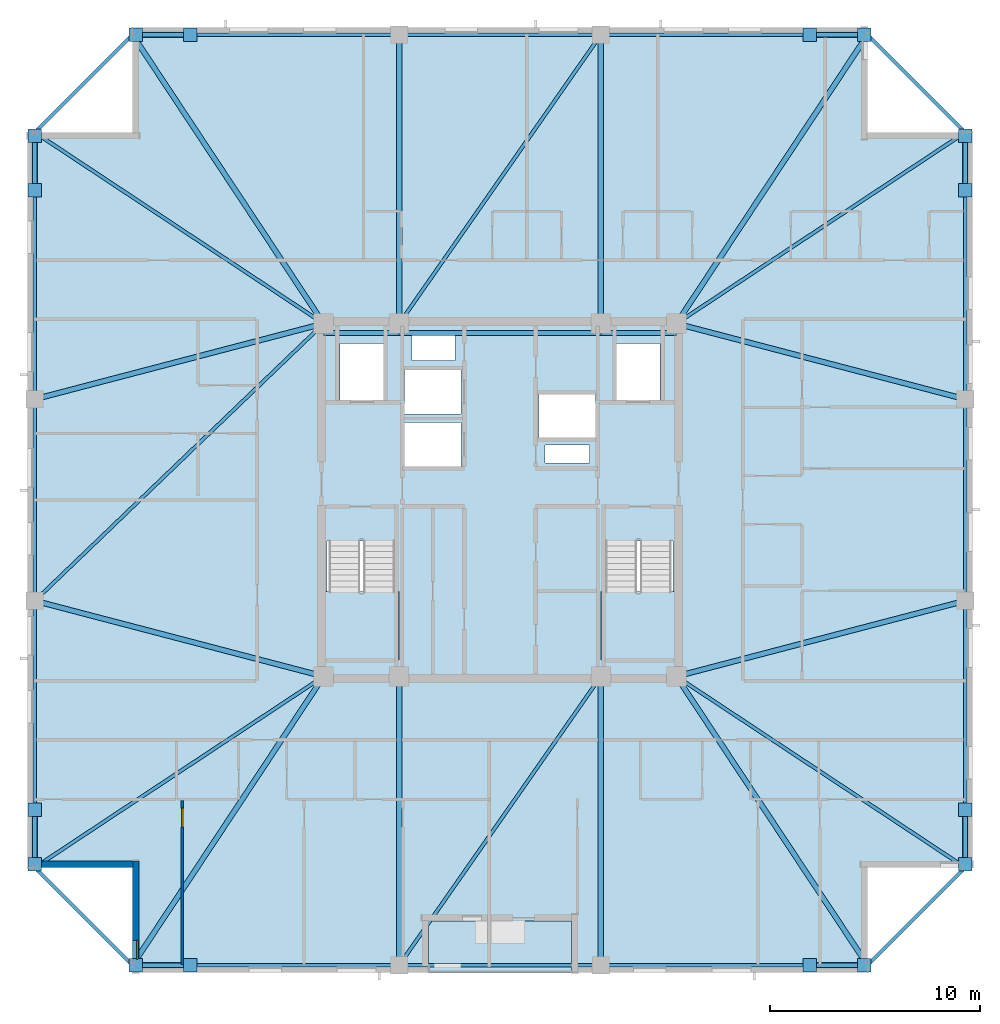
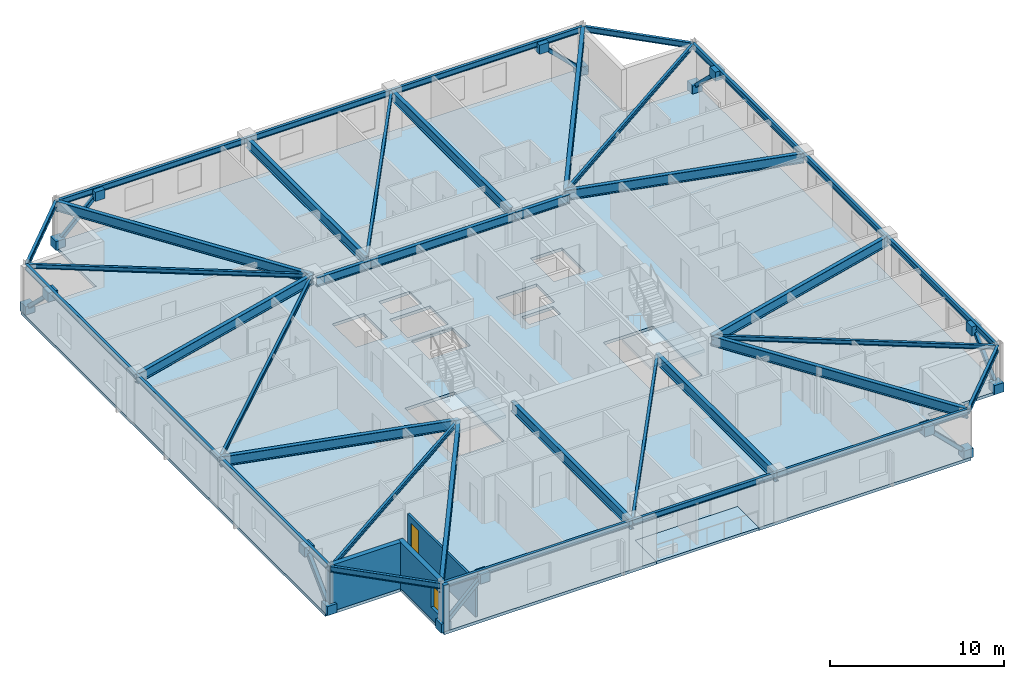
# One storey, part 6 of 17: 38 beams, 16 plates, 8 members, 4 slabs, 3 walls, 1 door, 1 window, 2 openings, 2 elements without a shape of their own.
"""IFC4 building model written with IfcOpenShell, lengths in metres."""

from ifc_helpers import new_model, si_unit, direction, frame, frame_2d, origin, origin_2d, place, context, subcontext, project, spatial, polyline, rectangle, hollow_rectangle, i_section, outline, extrude, material, layer, layer_set, material_profile, profile_set, type_object, element, fill, aggregate, save


model = new_model("IFC4")

# Units and contexts
model_context = context("Model", 3, precision=1e-05, world=origin(), true_north=direction((0.0, 1.0)))
body_context = subcontext(model_context, "Body", "Model", "MODEL_VIEW")
ifc_project = project(units=[si_unit("LENGTHUNIT", "METRE"), si_unit("AREAUNIT", "SQUARE_METRE"), si_unit("VOLUMEUNIT", "CUBIC_METRE"), si_unit("PLANEANGLEUNIT", "RADIAN"), si_unit("MASSUNIT", "GRAM", prefix="KILO")], contexts=[model_context])

# Site, building, storey
site_placement = place(None, origin())
site = spatial("IfcSite", under=ifc_project, at=site_placement, CompositionType="ELEMENT")
building_placement = place(site_placement, origin())
building = spatial("IfcBuilding", under=site, at=building_placement, Name="Cairnveth Concourse Tower", CompositionType="ELEMENT")
storey_placement = place(building_placement, frame((0.0, 0.0, 272.5)))
storey = spatial("IfcBuildingStorey", under=building, at=storey_placement, Name="L75", CompositionType="ELEMENT", Elevation=272.5)

# Beams
ifc_material_1 = material(Name="Steel Grade 350", Category="steel")
ifc_material_profile_1 = material_profile(ifc_material_1, i_section(OverallWidth=0.22802734375, OverallDepth=0.60693359375, WebThickness=0.01123046875, FlangeThickness=0.017333984375, FilletRadius=0.013916015625, at=origin_2d()), Name="610UB113")
ifc_profile_set_1 = profile_set([ifc_material_profile_1], Name="Steel Grade 350")
beam_type_1 = type_object("IfcBeamType", Name="CORE TIE BEAM 610UB113", PredefinedType="T_BEAM", material=ifc_profile_set_1)
for number, where, z_axis, x_axis, name in (
    (1, (43.60009765625, 46.949951171875, 2.9365234375), (1.0, 0.0, 0.0), (0.0, 1.0, 0.0), "Beam CT-N1 L75"),
    (2, (56.800048828125, 46.949951171875, 2.9365234375), (1.0, 0.0, 0.0), (0.0, 1.0, 0.0), "Beam CT-N3 L75"),
):
    element("IfcBeam", number, at=place(storey_placement, frame(where, z_axis=z_axis, x_axis=x_axis)), inside=storey, type_object=beam_type_1, Name=name, PredefinedType="T_BEAM", context=body_context, shape_type="SweptSolid", body=[
        extrude(i_section(OverallWidth=0.22802734375, OverallDepth=0.60693359375, WebThickness=0.01123046875, FlangeThickness=0.017333984375, FilletRadius=0.013916015625, at=origin_2d()), origin(), (0.0, 0.0, 1.0), 3.599853515625),
    ])
beam_1_placement = place(storey_placement, frame((47.199951171875, 46.949951171875, 2.9365234375), z_axis=(1.0, 0.0, 0.0), x_axis=(0.0, 1.0, 0.0)))
element("IfcBeam", 3, at=beam_1_placement, inside=storey, type_object=beam_type_1, Name="Beam CT-N2 L75", PredefinedType="T_BEAM", context=body_context, shape_type="SweptSolid", body=[
    extrude(i_section(OverallWidth=0.22802734375, OverallDepth=0.60693359375, WebThickness=0.01123046875, FlangeThickness=0.017333984375, FilletRadius=0.013916015625, at=origin_2d()), origin(), (0.0, 0.0, 1.0), 9.60009765625),
])
ifc_material_profile_2 = material_profile(ifc_material_1, i_section(OverallWidth=0.166015625, OverallDepth=0.306884765625, WebThickness=0.006591796875, FlangeThickness=0.01171875, FilletRadius=0.010986328125, at=origin_2d()), Name="310UB46.2")
ifc_profile_set_2 = profile_set([ifc_material_profile_2], Name="Steel Grade 350")
beam_type_2 = type_object("IfcBeamType", Name="ZONE 3 FLOOR JOIST 310UB46.2", PredefinedType="JOIST", material=ifc_profile_set_2)
for number, where, z_axis, x_axis, name in (
    (4, (29.85009765625, 21.5, 3.08642578125), (0.833908956207, 0.551902031848, 0.0), (-0.551902031848, 0.833908956207, 0.0), "Beam FJ-CSW2 L75"),
    (5, (74.14990234375, 21.5, 3.08642578125), (-0.833908956207, 0.551902031848, 0.0), (-0.551902031848, -0.833908956207, 0.0), "Beam FJ-CSE2 L75"),
    (6, (74.14990234375, 56.5, 3.08642578125), (-0.833908956207, -0.551902031848, 0.0), (0.551902031848, -0.833908956207, 0.0), "Beam FJ-CNE2 L75"),
    (7, (29.85009765625, 56.5, 3.08642578125), (0.833908956207, -0.551902031848, 0.0), (0.551902031848, 0.833908956207, 0.0), "Beam FJ-CNW2 L75"),
):
    element("IfcBeam", number, at=place(storey_placement, frame(where, z_axis=z_axis, x_axis=x_axis)), inside=storey, type_object=beam_type_2, Name=name, PredefinedType="JOIST", context=body_context, shape_type="SweptSolid", body=[
        extrude(i_section(OverallWidth=0.166015625, OverallDepth=0.306884765625, WebThickness=0.006591796875, FlangeThickness=0.01171875, FilletRadius=0.010986328125, at=origin_2d()), origin(), (0.0, 0.0, 1.0), 16.488525390625),
    ])
for number, where, z_axis, x_axis, name in (
    (8, (47.199951171875, 16.85009765625, 3.08642578125), (0.572465304893, 0.819928944905, 0.0), (-0.819928944905, 0.572465304893, 0.0), "Beam FJ-S-M1 L75"),
    (9, (47.199951171875, 47.39990234375, 3.08642578125), (0.572465304893, 0.819928944905, 0.0), (-0.819928944905, 0.572465304893, 0.0), "Beam FJ-N-M1 L75"),
):
    element("IfcBeam", number, at=place(storey_placement, frame(where, z_axis=z_axis, x_axis=x_axis)), inside=storey, type_object=beam_type_2, Name=name, PredefinedType="JOIST", context=body_context, shape_type="SweptSolid", body=[
        extrude(i_section(OverallWidth=0.166015625, OverallDepth=0.306884765625, WebThickness=0.006591796875, FlangeThickness=0.01171875, FilletRadius=0.010986328125, at=origin_2d()), origin(), (0.0, 0.0, 1.0), 16.769775390625),
    ])
beam_2_placement = place(storey_placement, frame((29.85009765625, 34.199951171875, 3.08642578125), z_axis=(0.721388600838, 0.692530495055, 0.0), x_axis=(-0.692530495055, 0.721388600838, 0.0)))
element("IfcBeam", 10, at=beam_2_placement, inside=storey, type_object=beam_type_2, Name="Beam FJ-W-M1 L75", PredefinedType="JOIST", context=body_context, shape_type="SweptSolid", body=[
    extrude(i_section(OverallWidth=0.166015625, OverallDepth=0.306884765625, WebThickness=0.006591796875, FlangeThickness=0.01171875, FilletRadius=0.010986328125, at=origin_2d()), origin(), (0.0, 0.0, 1.0), 19.060546875),
])

# Members
ifc_material_2 = material(Name="Steel C350L0 (350 MPa)", Category="steel")
ifc_material_profile_3 = material_profile(ifc_material_2, hollow_rectangle(XDim=0.25, YDim=0.25, WallThickness=0.012451171875, InnerFilletRadius=0.012939453125, OuterFilletRadius=0.02490234375, at=origin_2d()), Name="250x250x12.5SHS")
ifc_profile_set_3 = profile_set([ifc_material_profile_3], Name="Steel C350L0 (350 MPa)")
member_type = type_object("IfcMemberType", Name="ZONE 3 PIER BRACE 250X250X12.5SHS", PredefinedType="BRACE", material=ifc_profile_set_3)
for number, where, z_axis, x_axis, name in (
    (11, (34.64990234375, 16.85009765625, 0.25), (0.715319960292, 0.0, 0.698797076702), (0.0, 1.0, 0.0), "Structural Brace PB-S1 L75"),
    (12, (69.35009765625, 16.85009765625, 0.25), (-0.715319960292, 0.0, 0.698797076702), (0.0, -1.0, 0.0), "Structural Brace PB-S2 L75"),
    (13, (34.64990234375, 61.14990234375, 0.25), (0.715319960292, 0.0, 0.698797076702), (0.0, 1.0, 0.0), "Structural Brace PB-N1 L75"),
    (14, (69.35009765625, 61.14990234375, 0.25), (-0.715319960292, 0.0, 0.698797076702), (0.0, -1.0, 0.0), "Structural Brace PB-N2 L75"),
    (15, (29.85009765625, 21.64990234375, 0.25), (0.0, 0.715319960292, 0.698797076702), (-1.0, 0.0, 0.0), "Structural Brace PB-W1 L75"),
    (16, (29.85009765625, 56.35009765625, 0.25), (0.0, -0.715319960292, 0.698797076702), (1.0, 0.0, 0.0), "Structural Brace PB-W2 L75"),
    (17, (74.14990234375, 21.64990234375, 0.25), (0.0, 0.715319960292, 0.698797076702), (-1.0, 0.0, 0.0), "Structural Brace PB-E1 L75"),
    (18, (74.14990234375, 56.35009765625, 0.25), (0.0, -0.715319960292, 0.698797076702), (1.0, 0.0, 0.0), "Structural Brace PB-E2 L75"),
):
    element("IfcMember", number, at=place(storey_placement, frame(where, z_axis=z_axis, x_axis=x_axis)), inside=storey, type_object=member_type, Name=name, PredefinedType="BRACE", context=body_context, shape_type="SweptSolid", body=[
        extrude(hollow_rectangle(XDim=0.25, YDim=0.25, WallThickness=0.012451171875, InnerFilletRadius=0.012939453125, OuterFilletRadius=0.02490234375, at=origin_2d()), origin(), (0.0, 0.0, 1.0), 3.634765625),
    ])

# Beams
ifc_material_profile_4 = material_profile(ifc_material_1, i_section(OverallWidth=0.25, OverallDepth=0.69189453125, WebThickness=0.010009765625, FlangeThickness=0.02490234375, at=origin_2d()), Name="700WB150")
ifc_profile_set_4 = profile_set([ifc_material_profile_4], Name="Steel Grade 350")
beam_type_3 = type_object("IfcBeamType", Name="ZONE 3 RADIAL GIRDER 700WB150", PredefinedType="BEAM", material=ifc_profile_set_4)
for number, where, z_axis, x_axis, name in (
    (19, (47.199951171875, 16.85009765625, 2.89404296875), (0.0, 1.0, 0.0), (-1.0, 0.0, 0.0), "Beam RG-S1 L75"),
    (20, (56.800048828125, 16.85009765625, 2.89404296875), (0.0, 1.0, 0.0), (-1.0, 0.0, 0.0), "Beam RG-S2 L75"),
    (21, (47.199951171875, 47.39990234375, 2.89404296875), (0.0, 1.0, 0.0), (-1.0, 0.0, 0.0), "Beam RG-N1 L75"),
    (22, (56.800048828125, 47.39990234375, 2.89404296875), (0.0, 1.0, 0.0), (-1.0, 0.0, 0.0), "Beam RG-N2 L75"),
):
    element("IfcBeam", number, at=place(storey_placement, frame(where, z_axis=z_axis, x_axis=x_axis)), inside=storey, type_object=beam_type_3, Name=name, PredefinedType="BEAM", context=body_context, shape_type="SweptSolid", body=[
        extrude(i_section(OverallWidth=0.25, OverallDepth=0.69189453125, WebThickness=0.010009765625, FlangeThickness=0.02490234375, at=origin_2d()), origin(), (0.0, 0.0, 1.0), 13.75),
    ])
for number, where, z_axis, x_axis, name in (
    (23, (29.85009765625, 34.199951171875, 2.89404296875), (0.967395273598, -0.253271365575, 0.0), (0.253271365575, 0.967395273598, 0.0), "Beam RG-W1 L75"),
    (24, (29.85009765625, 43.800048828125, 2.89404296875), (0.967395273598, 0.253271365575, 0.0), (-0.253271365575, 0.967395273598, 0.0), "Beam RG-W2 L75"),
    (25, (60.39990234375, 30.60009765625, 2.89404296875), (0.967395273598, 0.253271365575, 0.0), (-0.253271365575, 0.967395273598, 0.0), "Beam RG-E1 L75"),
    (26, (60.39990234375, 47.39990234375, 2.89404296875), (0.967395273598, -0.253271365575, 0.0), (0.253271365575, 0.967395273598, 0.0), "Beam RG-E2 L75"),
):
    element("IfcBeam", number, at=place(storey_placement, frame(where, z_axis=z_axis, x_axis=x_axis)), inside=storey, type_object=beam_type_3, Name=name, PredefinedType="BEAM", context=body_context, shape_type="SweptSolid", body=[
        extrude(i_section(OverallWidth=0.25, OverallDepth=0.69189453125, WebThickness=0.010009765625, FlangeThickness=0.02490234375, at=origin_2d()), origin(), (0.0, 0.0, 1.0), 14.21337890625),
    ])
for number, where, z_axis, x_axis, name in (
    (27, (34.5, 16.85009765625, 2.89404296875), (0.551902031848, 0.833908956207, 0.0), (-0.833908956207, 0.551902031848, 0.0), "Beam RG-CSW L75"),
    (28, (69.5, 16.85009765625, 2.89404296875), (-0.551902031848, 0.833908956207, 0.0), (-0.833908956207, -0.551902031848, 0.0), "Beam RG-CSE L75"),
    (29, (69.5, 61.14990234375, 2.89404296875), (-0.551902031848, -0.833908956207, 0.0), (0.833908956207, -0.551902031848, 0.0), "Beam RG-CNE L75"),
    (30, (34.5, 61.14990234375, 2.89404296875), (0.551902031848, -0.833908956207, 0.0), (0.833908956207, 0.551902031848, 0.0), "Beam RG-CNW L75"),
):
    element("IfcBeam", number, at=place(storey_placement, frame(where, z_axis=z_axis, x_axis=x_axis)), inside=storey, type_object=beam_type_3, Name=name, PredefinedType="BEAM", context=body_context, shape_type="SweptSolid", body=[
        extrude(i_section(OverallWidth=0.25, OverallDepth=0.69189453125, WebThickness=0.010009765625, FlangeThickness=0.02490234375, at=origin_2d()), origin(), (0.0, 0.0, 1.0), 16.488525390625),
    ])
ifc_material_profile_5 = material_profile(ifc_material_1, i_section(OverallWidth=0.177978515625, OverallDepth=0.406005859375, WebThickness=0.0078125, FlangeThickness=0.0126953125, FilletRadius=0.010986328125, at=origin_2d()), Name="410UB59.7")
ifc_profile_set_5 = profile_set([ifc_material_profile_5], Name="Steel Grade 350")
beam_type_4 = type_object("IfcBeamType", Name="ZONE 3 SPANDREL BEAM 410UB59.7", PredefinedType="SPANDREL", material=ifc_profile_set_5)
beam_3_placement = place(storey_placement, frame((34.5, 16.85009765625, 3.037109375), z_axis=(1.0, 0.0, 0.0), x_axis=(0.0, 1.0, 0.0)))
element("IfcBeam", 31, at=beam_3_placement, inside=storey, type_object=beam_type_4, Name="Beam SP-S1 L75", PredefinedType="SPANDREL", context=body_context, shape_type="SweptSolid", body=[
    extrude(i_section(OverallWidth=0.177978515625, OverallDepth=0.406005859375, WebThickness=0.0078125, FlangeThickness=0.0126953125, FilletRadius=0.010986328125, at=origin_2d()), origin(), (0.0, 0.0, 1.0), 12.699951171875),
])
beam_4_placement = place(storey_placement, frame((47.199951171875, 16.85009765625, 3.037109375), z_axis=(1.0, 0.0, 0.0), x_axis=(0.0, 1.0, 0.0)))
element("IfcBeam", 32, at=beam_4_placement, inside=storey, type_object=beam_type_4, Name="Beam SP-S2 L75", PredefinedType="SPANDREL", context=body_context, shape_type="SweptSolid", body=[
    extrude(i_section(OverallWidth=0.177978515625, OverallDepth=0.406005859375, WebThickness=0.0078125, FlangeThickness=0.0126953125, FilletRadius=0.010986328125, at=origin_2d()), origin(), (0.0, 0.0, 1.0), 9.60009765625),
])
for number, where, z_axis, x_axis, name in (
    (33, (56.800048828125, 16.85009765625, 3.037109375), (1.0, 0.0, 0.0), (0.0, 1.0, 0.0), "Beam SP-S3 L75"),
    (34, (34.5, 61.14990234375, 3.037109375), (1.0, 0.0, 0.0), (0.0, 1.0, 0.0), "Beam SP-N1 L75"),
):
    element("IfcBeam", number, at=place(storey_placement, frame(where, z_axis=z_axis, x_axis=x_axis)), inside=storey, type_object=beam_type_4, Name=name, PredefinedType="SPANDREL", context=body_context, shape_type="SweptSolid", body=[
        extrude(i_section(OverallWidth=0.177978515625, OverallDepth=0.406005859375, WebThickness=0.0078125, FlangeThickness=0.0126953125, FilletRadius=0.010986328125, at=origin_2d()), origin(), (0.0, 0.0, 1.0), 12.699951171875),
    ])
beam_5_placement = place(storey_placement, frame((47.199951171875, 61.14990234375, 3.037109375), z_axis=(1.0, 0.0, 0.0), x_axis=(0.0, 1.0, 0.0)))
element("IfcBeam", 35, at=beam_5_placement, inside=storey, type_object=beam_type_4, Name="Beam SP-N2 L75", PredefinedType="SPANDREL", context=body_context, shape_type="SweptSolid", body=[
    extrude(i_section(OverallWidth=0.177978515625, OverallDepth=0.406005859375, WebThickness=0.0078125, FlangeThickness=0.0126953125, FilletRadius=0.010986328125, at=origin_2d()), origin(), (0.0, 0.0, 1.0), 9.60009765625),
])
for number, where, z_axis, x_axis, name in (
    (36, (56.800048828125, 61.14990234375, 3.037109375), (1.0, 0.0, 0.0), (0.0, 1.0, 0.0), "Beam SP-N3 L75"),
    (37, (29.85009765625, 21.5, 3.037109375), (0.0, 1.0, 0.0), (-1.0, 0.0, 0.0), "Beam SP-W1 L75"),
):
    element("IfcBeam", number, at=place(storey_placement, frame(where, z_axis=z_axis, x_axis=x_axis)), inside=storey, type_object=beam_type_4, Name=name, PredefinedType="SPANDREL", context=body_context, shape_type="SweptSolid", body=[
        extrude(i_section(OverallWidth=0.177978515625, OverallDepth=0.406005859375, WebThickness=0.0078125, FlangeThickness=0.0126953125, FilletRadius=0.010986328125, at=origin_2d()), origin(), (0.0, 0.0, 1.0), 12.699951171875),
    ])
beam_6_placement = place(storey_placement, frame((29.85009765625, 34.199951171875, 3.037109375), z_axis=(0.0, 1.0, 0.0), x_axis=(-1.0, 0.0, 0.0)))
element("IfcBeam", 38, at=beam_6_placement, inside=storey, type_object=beam_type_4, Name="Beam SP-W2 L75", PredefinedType="SPANDREL", context=body_context, shape_type="SweptSolid", body=[
    extrude(i_section(OverallWidth=0.177978515625, OverallDepth=0.406005859375, WebThickness=0.0078125, FlangeThickness=0.0126953125, FilletRadius=0.010986328125, at=origin_2d()), origin(), (0.0, 0.0, 1.0), 9.60009765625),
])
for number, where, z_axis, x_axis, name in (
    (39, (29.85009765625, 43.800048828125, 3.037109375), (0.0, 1.0, 0.0), (-1.0, 0.0, 0.0), "Beam SP-W3 L75"),
    (40, (74.14990234375, 21.5, 3.037109375), (0.0, 1.0, 0.0), (-1.0, 0.0, 0.0), "Beam SP-E1 L75"),
):
    element("IfcBeam", number, at=place(storey_placement, frame(where, z_axis=z_axis, x_axis=x_axis)), inside=storey, type_object=beam_type_4, Name=name, PredefinedType="SPANDREL", context=body_context, shape_type="SweptSolid", body=[
        extrude(i_section(OverallWidth=0.177978515625, OverallDepth=0.406005859375, WebThickness=0.0078125, FlangeThickness=0.0126953125, FilletRadius=0.010986328125, at=origin_2d()), origin(), (0.0, 0.0, 1.0), 12.699951171875),
    ])
beam_7_placement = place(storey_placement, frame((74.14990234375, 34.199951171875, 3.037109375), z_axis=(0.0, 1.0, 0.0), x_axis=(-1.0, 0.0, 0.0)))
element("IfcBeam", 41, at=beam_7_placement, inside=storey, type_object=beam_type_4, Name="Beam SP-E2 L75", PredefinedType="SPANDREL", context=body_context, shape_type="SweptSolid", body=[
    extrude(i_section(OverallWidth=0.177978515625, OverallDepth=0.406005859375, WebThickness=0.0078125, FlangeThickness=0.0126953125, FilletRadius=0.010986328125, at=origin_2d()), origin(), (0.0, 0.0, 1.0), 9.60009765625),
])
beam_8_placement = place(storey_placement, frame((74.14990234375, 43.800048828125, 3.037109375), z_axis=(0.0, 1.0, 0.0), x_axis=(-1.0, 0.0, 0.0)))
element("IfcBeam", 42, at=beam_8_placement, inside=storey, type_object=beam_type_4, Name="Beam SP-E3 L75", PredefinedType="SPANDREL", context=body_context, shape_type="SweptSolid", body=[
    extrude(i_section(OverallWidth=0.177978515625, OverallDepth=0.406005859375, WebThickness=0.0078125, FlangeThickness=0.0126953125, FilletRadius=0.010986328125, at=origin_2d()), origin(), (0.0, 0.0, 1.0), 12.699951171875),
])
for number, where, z_axis, x_axis, name in (
    (43, (29.85009765625, 21.5, 3.037109375), (0.707106781187, -0.707106781187, 0.0), (0.707106781187, 0.707106781187, 0.0), "Beam SP-SW L75"),
    (44, (69.5, 16.85009765625, 3.037109375), (0.707106781187, 0.707106781187, 0.0), (-0.707106781187, 0.707106781187, 0.0), "Beam SP-SE L75"),
    (45, (69.5, 61.14990234375, 3.037109375), (0.707106781187, -0.707106781187, 0.0), (0.707106781187, 0.707106781187, 0.0), "Beam SP-NE L75"),
    (46, (29.85009765625, 56.5, 3.037109375), (0.707106781187, 0.707106781187, 0.0), (-0.707106781187, 0.707106781187, 0.0), "Beam SP-NW L75"),
):
    element("IfcBeam", number, at=place(storey_placement, frame(where, z_axis=z_axis, x_axis=x_axis)), inside=storey, type_object=beam_type_4, Name=name, PredefinedType="SPANDREL", context=body_context, shape_type="SweptSolid", body=[
        extrude(i_section(OverallWidth=0.177978515625, OverallDepth=0.406005859375, WebThickness=0.0078125, FlangeThickness=0.0126953125, FilletRadius=0.010986328125, at=origin_2d()), origin(), (0.0, 0.0, 1.0), 6.575927734375),
    ])

# Plates
ifc_layer_1 = layer(ifc_material_1, 0.031982421875)
ifc_layer_set_1 = layer_set([ifc_layer_1], Name="Steel Grade 350")
plate_type = type_object("IfcPlateType", Name="PERIMETER BRACE GUSSET PLATE 32", PredefinedType="USERDEFINED", material=ifc_layer_set_1)
for number, where, z_axis, x_axis, name in (
    (47, (34.64990234375, 16.85009765625, -0.06982421875), (0.0, 0.0, 1.0), (1.0, 0.0, 0.0), "Structural Node Plate 1285 L75"),
    (48, (37.25, 16.85009765625, 2.47021484375), (0.0, 0.0, 1.0), (1.0, 0.0, 0.0), "Structural Node Plate 1286 L75"),
    (49, (69.35009765625, 16.85009765625, -0.06982421875), (0.0, 0.0, 1.0), (1.0, 0.0, 0.0), "Structural Node Plate 1287 L75"),
    (50, (66.75, 16.85009765625, 2.47021484375), (0.0, 0.0, 1.0), (1.0, 0.0, 0.0), "Structural Node Plate 1288 L75"),
    (51, (34.64990234375, 61.14990234375, -0.06982421875), (0.0, 0.0, 1.0), (1.0, 0.0, 0.0), "Structural Node Plate 1289 L75"),
    (52, (37.25, 61.14990234375, 2.47021484375), (0.0, 0.0, 1.0), (1.0, 0.0, 0.0), "Structural Node Plate 1290 L75"),
    (53, (69.35009765625, 61.14990234375, -0.06982421875), (0.0, 0.0, 1.0), (1.0, 0.0, 0.0), "Structural Node Plate 1291 L75"),
    (54, (66.75, 61.14990234375, 2.47021484375), (0.0, 0.0, 1.0), (1.0, 0.0, 0.0), "Structural Node Plate 1292 L75"),
    (55, (29.85009765625, 21.64990234375, -0.06982421875), (0.0, 0.0, 1.0), (1.0, 0.0, 0.0), "Structural Node Plate 1293 L75"),
    (56, (29.85009765625, 24.25, 2.47021484375), (0.0, 0.0, 1.0), (1.0, 0.0, 0.0), "Structural Node Plate 1294 L75"),
    (57, (29.85009765625, 56.35009765625, -0.06982421875), (0.0, 0.0, 1.0), (1.0, 0.0, 0.0), "Structural Node Plate 1295 L75"),
    (58, (29.85009765625, 53.75, 2.47021484375), (0.0, 0.0, 1.0), (1.0, 0.0, 0.0), "Structural Node Plate 1296 L75"),
    (59, (74.14990234375, 21.64990234375, -0.06982421875), (0.0, 0.0, 1.0), (1.0, 0.0, 0.0), "Structural Node Plate 1297 L75"),
    (60, (74.14990234375, 24.25, 2.47021484375), (0.0, 0.0, 1.0), (1.0, 0.0, 0.0), "Structural Node Plate 1298 L75"),
    (61, (74.14990234375, 56.35009765625, -0.06982421875), (0.0, 0.0, 1.0), (1.0, 0.0, 0.0), "Structural Node Plate 1299 L75"),
    (62, (74.14990234375, 53.75, 2.47021484375), (0.0, 0.0, 1.0), (1.0, 0.0, 0.0), "Structural Node Plate 1300 L75"),
):
    element("IfcPlate", number, at=place(storey_placement, frame(where, z_axis=z_axis, x_axis=x_axis)), inside=storey, type_object=plate_type, Name=name, ObjectType="GUSSET PLATE", PredefinedType="USERDEFINED", context=body_context, shape_type="SweptSolid", body=[
        extrude(rectangle(XDim=0.639892578125, YDim=0.639892578125, at=origin_2d()), origin(), (0.0, 0.0, 1.0), 0.639892578125),
    ])

# Slab
ifc_material_3 = material(Name="Concrete N50 (50 MPa)", Category="concrete")
ifc_layer_2 = layer(ifc_material_3, 0.18994140625)
ifc_layer_set_2 = layer_set([ifc_layer_2], Name="Concrete N50 (50 MPa)")
slab_type_1 = type_object("IfcSlabType", Name="SPIRAL OUTDOOR TERRACE SLAB 190", PredefinedType="FLOOR", material=ifc_layer_set_2)
slab_1_placement = place(storey_placement, frame((0.0, 0.0, -0.18994140625)))
element("IfcSlab", 63, at=slab_1_placement, inside=storey, type_object=slab_type_1, Name="Spiral Terrace Slab L75", PredefinedType="FLOOR", context=body_context, shape_type="SweptSolid", body=[
    extrude(outline(polyline([(48.60009765625, 16.5), (55.39990234375, 16.5), (55.39990234375, 18.949951171875), (48.60009765625, 18.949951171875), (48.60009765625, 16.5)])), origin(), (0.0, 0.0, 1.0), 0.18994140625),
])

# Stair, slab
ifc_material_4 = material(Name="Precast concrete N50 (50 MPa)", Category="concrete")
stair_type = type_object("IfcStairType", Name="CORE DOG-LEG FIRE STAIR 1500", PredefinedType="HALF_TURN_STAIR", material=ifc_material_4)
stair_1_placement = place(storey_placement, origin())
stair_1 = element("IfcStair", 64, at=stair_1_placement, inside=storey, type_object=stair_type, Name="L75 Fire-Isolated Stair ST-1", PredefinedType="HALF_TURN_STAIR")
ifc_layer_3 = layer(ifc_material_3, 0.199951171875)
ifc_layer_set_3 = layer_set([ifc_layer_3], Name="Concrete N50 (50 MPa)")
slab_type_2 = type_object("IfcSlabType", Name="STAIR HALF LANDING SLAB 200", PredefinedType="LANDING", material=ifc_layer_set_3)
slab_2_placement = place(storey_placement, frame((0.0, 0.0, 1.550048828125)))
slab_2 = element("IfcSlab", 65, at=slab_2_placement, type_object=slab_type_2, Name="ST-1 landing 1", PredefinedType="LANDING", context=body_context, shape_type="SweptSolid", body=[
    extrude(outline(polyline([(43.6201171875, 34.639892578125), (43.6201171875, 31.3701171875), (47.199951171875, 31.3701171875), (47.199951171875, 34.639892578125), (43.6201171875, 34.639892578125)])), origin(), (0.0, 0.0, 1.0), 0.199951171875),
])
aggregate(stair_1, [slab_2])

stair_2_placement = place(storey_placement, origin())
stair_2 = element("IfcStair", 66, at=stair_2_placement, inside=storey, type_object=stair_type, Name="L75 Fire-Isolated Stair ST-2", PredefinedType="HALF_TURN_STAIR")
slab_3_placement = place(storey_placement, frame((0.0, 0.0, 1.550048828125)))
slab_3 = element("IfcSlab", 67, at=slab_3_placement, type_object=slab_type_2, Name="ST-2 landing 1", PredefinedType="LANDING", context=body_context, shape_type="SweptSolid", body=[
    extrude(outline(polyline([(56.800048828125, 34.639892578125), (56.800048828125, 31.3701171875), (60.3798828125, 31.3701171875), (60.3798828125, 34.639892578125), (56.800048828125, 34.639892578125)])), origin(), (0.0, 0.0, 1.0), 0.199951171875),
])
aggregate(stair_2, [slab_3])

# Slab
ifc_layer_4 = layer(ifc_material_3, 0.2099609375)
ifc_layer_set_4 = layer_set([ifc_layer_4], Name="Concrete N50 (50 MPa)")
slab_type_3 = type_object("IfcSlabType", Name="UPPER TOWER COMPOSITE SLAB 210", PredefinedType="FLOOR", material=ifc_layer_set_4)
slab_4_placement = place(storey_placement, frame((0.0, 0.0, -0.2099609375)))
element("IfcSlab", 68, at=slab_4_placement, inside=storey, type_object=slab_type_3, Name="Tower Floor Slab L75", PredefinedType="FLOOR", context=body_context, shape_type="SweptSolid", body=[
    extrude(outline(polyline([(48.60009765625, 16.5), (48.60009765625, 18.949951171875), (55.39990234375, 18.949951171875), (55.39990234375, 16.5), (69.5, 16.5), (69.5, 21.5), (74.5, 21.5), (74.5, 56.5), (69.5, 56.5), (69.5, 61.5), (34.5, 61.5), (34.5, 56.5), (29.5, 56.5), (29.5, 21.5), (34.5, 21.5), (34.5, 16.5), (48.60009765625, 16.5)]), holes=[polyline([(43.760009765625, 31.360107421875), (47.06005859375, 31.360107421875), (47.06005859375, 37.0400390625), (43.760009765625, 37.0400390625), (43.760009765625, 31.360107421875)]), polyline([(56.93994140625, 31.360107421875), (60.239990234375, 31.360107421875), (60.239990234375, 37.0400390625), (56.93994140625, 37.0400390625), (56.93994140625, 31.360107421875)]), polyline([(44.3701171875, 43.75), (46.469970703125, 43.75), (46.469970703125, 46.449951171875), (44.3701171875, 46.449951171875), (44.3701171875, 43.75)]), polyline([(57.530029296875, 43.75), (59.6298828125, 43.75), (59.6298828125, 46.449951171875), (57.530029296875, 46.449951171875), (57.530029296875, 43.75)]), polyline([(47.449951171875, 40.60009765625), (50.14990234375, 40.60009765625), (50.14990234375, 42.699951171875), (47.449951171875, 42.699951171875), (47.449951171875, 40.60009765625)]), polyline([(47.449951171875, 43.10009765625), (50.14990234375, 43.10009765625), (50.14990234375, 45.199951171875), (47.449951171875, 45.199951171875), (47.449951171875, 43.10009765625)]), polyline([(53.85009765625, 41.949951171875), (56.550048828125, 41.949951171875), (56.550048828125, 44.050048828125), (53.85009765625, 44.050048828125), (53.85009765625, 41.949951171875)]), polyline([(47.800048828125, 45.64990234375), (49.85009765625, 45.64990234375), (49.85009765625, 47.050048828125), (47.800048828125, 47.050048828125), (47.800048828125, 45.64990234375)]), polyline([(54.14990234375, 40.75), (56.25, 40.75), (56.25, 41.6201171875), (54.14990234375, 41.6201171875), (54.14990234375, 40.75)])]), origin(), (0.0, 0.0, 1.0), 0.2099609375),
])

# Wall, opening, door
ifc_material_5 = material(Name="Gypsum Plasterboard Partition", Category="gypsum")
ifc_layer_5 = layer(ifc_material_5, 0.139892578125)
ifc_layer_set_5 = layer_set([ifc_layer_5], Name="Gypsum Plasterboard Partition")
wall_type_1 = type_object("IfcWallType", Name="GYPSUM STUD PARTITION 140", PredefinedType="PARTITIONING", material=ifc_layer_set_5)
wall_1_placement = place(storey_placement, frame((36.8701171875, 16.8798828125, 0.0), z_axis=(0.0, 0.0, 1.0), x_axis=(0.0, 1.0, 0.0)))
wall_1 = element("IfcWall", 69, at=wall_1_placement, inside=storey, type_object=wall_type_1, Name="Interior Wall IW-L75-049", PredefinedType="PARTITIONING", context=body_context, shape_type="SweptSolid", body=[
    extrude(rectangle(XDim=7.817626953125, YDim=0.139892578125, at=frame_2d((3.90869140625, 0.0))), origin(), (0.0, 0.0, 1.0), 2.52294921875),
])
opening_1_placement = place(wall_1_placement, frame((6.5576171875, 0.0, 0.0)))
opening_1 = element("IfcOpeningElement", 70, at=opening_1_placement, cuts=wall_1, Name="Opening ID18", PredefinedType="OPENING", context=body_context, shape_type="SweptSolid", body=[
    extrude(rectangle(XDim=0.8798828125, YDim=2.10009765625, at=frame_2d((0.43994140625, 1.050048828125))), frame((0.0, 0.079833984375, 0.0), z_axis=(0.0, -1.0, 0.0), x_axis=(1.0, 0.0, 0.0)), (0.0, 0.0, 1.0), 0.159912109375),
])
ifc_material_6 = material(Name="Solid Core Hardwood Timber Leaf", Category="wood")
door_type = type_object("IfcDoorType", Name="INTERIOR SINGLE DOOR 880X2100", OperationType="NOTDEFINED", PredefinedType="DOOR", material=ifc_material_6)
door_placement = place(opening_1_placement, origin())
door = element("IfcDoor", 71, at=door_placement, inside=storey, type_object=door_type, Name="L75S1 Master Bedroom Door", OperationType="SINGLE_SWING_LEFT", OverallHeight=2.10009765625, OverallWidth=0.8798828125, PredefinedType="DOOR", context=body_context, shape_type="SweptSolid", body=[
    extrude(rectangle(XDim=0.8798828125, YDim=2.10009765625, at=frame_2d((0.43994140625, 1.050048828125))), frame((0.0, 0.02490234375, 0.0), z_axis=(0.0, -1.0, 0.0), x_axis=(1.0, 0.0, 0.0)), (0.0, 0.0, 1.0), 0.050048828125),
])
fill(opening_1, door)

# Wall, opening, window
ifc_material_7 = material(Name="Melbourne Buff Fired Clay Brick Masonry", Category="masonry")
ifc_layer_6 = layer(ifc_material_7, 0.320068359375)
ifc_layer_set_6 = layer_set([ifc_layer_6], Name="Melbourne Buff Fired Clay Brick Masonry")
wall_type_2 = type_object("IfcWallType", Name="ZONE 3 BRICK PIER SPANDREL WALL 320", PredefinedType="SOLIDWALL", material=ifc_layer_set_6)
wall_2_placement = place(storey_placement, frame((34.659912109375, 16.5, 0.0), z_axis=(0.0, 0.0, 1.0), x_axis=(0.0, 1.0, 0.0)))
wall_2 = element("IfcWall", 72, at=wall_2_placement, inside=storey, type_object=wall_type_2, Name="Exterior Wall EW-L75-S01", PredefinedType="SOLIDWALL", context=body_context, shape_type="SweptSolid", body=[
    extrude(rectangle(XDim=5.320068359375, YDim=0.320068359375, at=frame_2d((2.66015625, 0.0))), origin(), (0.0, 0.0, 1.0), 3.239990234375),
])
opening_2_placement = place(wall_2_placement, frame((0.6298828125, 0.0, 0.800048828125)))
opening_2 = element("IfcOpeningElement", 73, at=opening_2_placement, cuts=wall_2, Name="Opening W13", PredefinedType="OPENING", context=body_context, shape_type="SweptSolid", body=[
    extrude(rectangle(XDim=0.89990234375, YDim=1.6279296875, at=frame_2d((0.449951171875, 0.81396484375))), frame((0.0, 0.169921875, 0.0), z_axis=(0.0, -1.0, 0.0), x_axis=(1.0, 0.0, 0.0)), (0.0, 0.0, 1.0), 0.340087890625),
])
ifc_material_8 = material(Name="Double Glazed Low-E Clear Glass", Category="glass")
window_type = type_object("IfcWindowType", Name="DEEP-SET BEDROOM LANCET WINDOW 900X1750", PartitioningType="DOUBLE_PANEL_VERTICAL", PredefinedType="WINDOW", material=ifc_material_8)
window_placement = place(opening_2_placement, origin())
window = element("IfcWindow", 74, at=window_placement, inside=storey, type_object=window_type, Name="Dwelling Lancet Window L75-DW1", OverallHeight=1.6279296875, OverallWidth=0.89990234375, PartitioningType="SINGLE_PANEL", PredefinedType="WINDOW", context=body_context, shape_type="SweptSolid", body=[
    extrude(rectangle(XDim=0.89990234375, YDim=1.6279296875, at=frame_2d((0.449951171875, 0.81396484375))), frame((0.0, -0.0400390625, 0.0), z_axis=(0.0, -1.0, 0.0), x_axis=(1.0, 0.0, 0.0)), (0.0, 0.0, 1.0), 0.06005859375),
])
fill(opening_2, window)

# Wall
wall_3_placement = place(storey_placement, frame((34.52197265625, 21.659912109375, 0.0), z_axis=(0.0, 0.0, 1.0), x_axis=(-1.0, 0.0, 0.0)))
element("IfcWall", 75, at=wall_3_placement, inside=storey, type_object=wall_type_2, Name="Exterior Wall EW-L75-S02", PredefinedType="SOLIDWALL", context=body_context, shape_type="SweptSolid", body=[
    extrude(rectangle(XDim=4.723876953125, YDim=0.320068359375, at=frame_2d((2.36181640625, 0.0))), origin(), (0.0, 0.0, 1.0), 3.239990234375),
])

save(model, "model.ifc")
